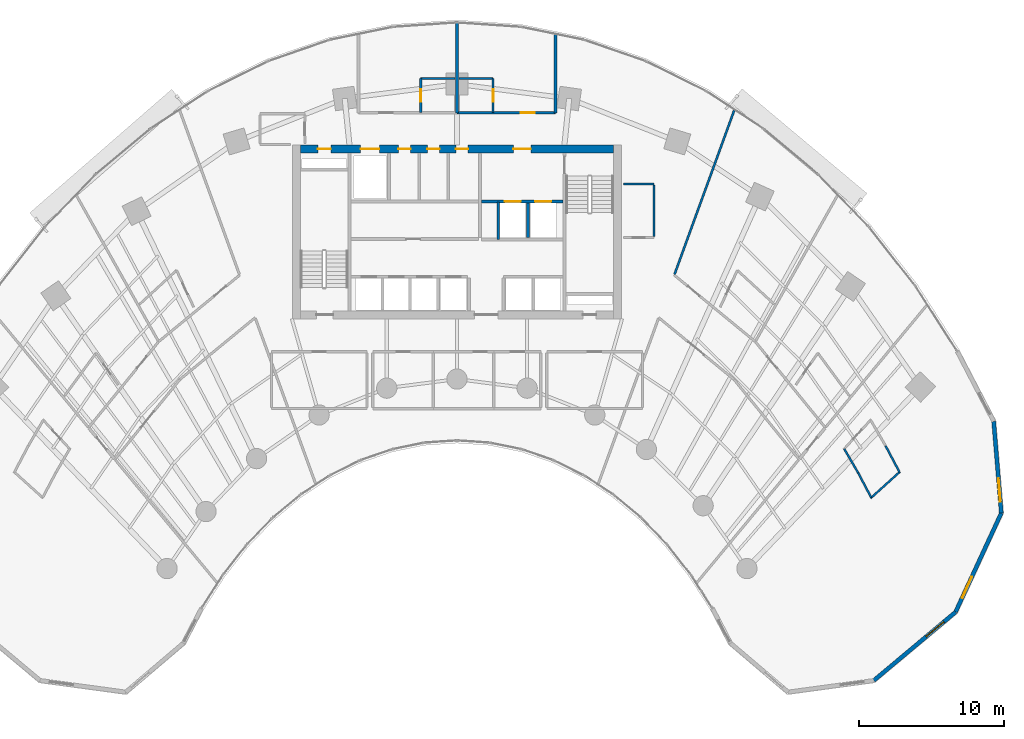
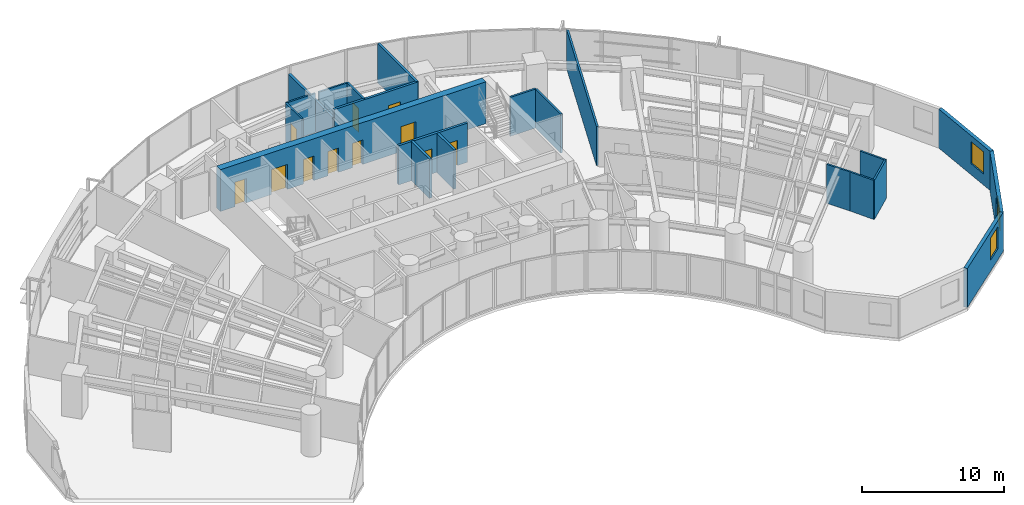
# One storey, part 14 of 17: 21 walls, 11 doors, 3 windows, 14 openings.
"""IFC4 building model written with IfcOpenShell, lengths in metres."""

from ifc_helpers import new_model, si_unit, direction, frame, frame_2d, origin, place, context, subcontext, project, spatial, rectangle, extrude, source, transform, mapped, material, layer, layer_set, type_object, type_shapes, element, fill, save


model = new_model("IFC4")

# Units and contexts
model_context = context("Model", 3, precision=1e-05, world=origin(), true_north=direction((0.0, 1.0)))
body_context = subcontext(model_context, "Body", "Model", "MODEL_VIEW")
ifc_project = project(units=[si_unit("LENGTHUNIT", "METRE"), si_unit("AREAUNIT", "SQUARE_METRE"), si_unit("VOLUMEUNIT", "CUBIC_METRE"), si_unit("PLANEANGLEUNIT", "RADIAN"), si_unit("MASSUNIT", "GRAM", prefix="KILO")], contexts=[model_context])

# Site, building, storey
site_placement = place(None, origin())
site = spatial("IfcSite", under=ifc_project, at=site_placement, CompositionType="ELEMENT")
building_placement = place(site_placement, origin())
building = spatial("IfcBuilding", under=site, at=building_placement, Name="Breltana Convention Tower", CompositionType="ELEMENT")
storey_placement = place(building_placement, frame((0.0, 0.0, 53.39990234375)))
storey = spatial("IfcBuildingStorey", under=building, at=storey_placement, Name="L11", CompositionType="ELEMENT", Elevation=53.39990234375)

# Wall, openings, doors
ifc_material_1 = material(Name="Concrete C60/75", Category="concrete")
ifc_layer_1 = layer(ifc_material_1, 0.550048828125, Name="Concrete C60/75")
ifc_layer_set_1 = layer_set([ifc_layer_1], Name="Concrete C60/75")
wall_type_1 = type_object("IfcWallType", Name="SW-CORE-550", PredefinedType="SHEAR", material=ifc_layer_set_1)
shared_shape_1 = source(origin(), body_context, "Body", "SweptSolid", [
    extrude(rectangle(XDim=21.60009765625, YDim=0.550048828125, at=frame_2d((10.800048828125, 0.0))), origin(), (0.0, 0.0, 1.0), 3.60009765625),
])
wall_1_placement = place(storey_placement, frame((37.199951171875, 71.925048828125, 0.0), z_axis=(0.0, 0.0, 1.0), x_axis=(1.0, 0.0, 0.0)))
wall_1 = element("IfcWall", 1, at=wall_1_placement, inside=storey, type_object=wall_type_1, Name="L11 North Core Shear Wall", PredefinedType="SHEAR", context=body_context, shape_type="MappedRepresentation", body=[
    mapped(shared_shape_1, transform((0.0, 0.0, 0.0), scale=1.0)),
])
opening_1_placement = place(wall_1_placement, frame((1.199951171875, 0.0, 0.0)))
opening_1 = element("IfcOpeningElement", 2, at=opening_1_placement, cuts=wall_1, Name="Opening D-18", PredefinedType="OPENING", context=body_context, shape_type="SweptSolid", body=[
    extrude(rectangle(XDim=0.89990234375, YDim=2.10009765625, at=frame_2d((0.449951171875, 1.050048828125))), frame((0.0, 0.28515625, 0.0), z_axis=(0.0, -1.0, 0.0), x_axis=(1.0, 0.0, 0.0)), (0.0, 0.0, 1.0), 0.570068359375),
])
opening_2_placement = place(wall_1_placement, frame((14.699951171875, 0.0, 0.0)))
opening_2 = element("IfcOpeningElement", 3, at=opening_2_placement, cuts=wall_1, Name="Opening D-09", PredefinedType="OPENING", context=body_context, shape_type="SweptSolid", body=[
    extrude(rectangle(XDim=1.199951171875, YDim=2.14990234375, at=frame_2d((0.60009765625, 1.074951171875))), frame((0.0, 0.28515625, 0.0), z_axis=(0.0, -1.0, 0.0), x_axis=(1.0, 0.0, 0.0)), (0.0, 0.0, 1.0), 0.570068359375),
])
opening_3_placement = place(wall_1_placement, frame((4.14990234375, 0.0, 0.0)))
opening_3 = element("IfcOpeningElement", 4, at=opening_3_placement, cuts=wall_1, Name="Opening LD-01", PredefinedType="OPENING", context=body_context, shape_type="SweptSolid", body=[
    extrude(rectangle(XDim=1.300048828125, YDim=2.14990234375, at=frame_2d((0.64990234375, 1.074951171875))), frame((0.0, 0.28515625, 0.0), z_axis=(0.0, -1.0, 0.0), x_axis=(1.0, 0.0, 0.0)), (0.0, 0.0, 1.0), 0.570068359375),
])
opening_4_placement = place(wall_1_placement, frame((6.760009765625, 0.0, 0.0)))
opening_4 = element("IfcOpeningElement", 5, at=opening_4_placement, cuts=wall_1, Name="Opening D-20", PredefinedType="OPENING", context=body_context, shape_type="SweptSolid", body=[
    extrude(rectangle(XDim=0.85009765625, YDim=2.10009765625, at=frame_2d((0.425048828125, 1.050048828125))), frame((0.0, 0.28515625, 0.0), z_axis=(0.0, -1.0, 0.0), x_axis=(1.0, 0.0, 0.0)), (0.0, 0.0, 1.0), 0.570068359375),
])
opening_5_placement = place(wall_1_placement, frame((8.760009765625, 0.0, 0.0)))
opening_5 = element("IfcOpeningElement", 6, at=opening_5_placement, cuts=wall_1, Name="Opening D-20", PredefinedType="OPENING", context=body_context, shape_type="SweptSolid", body=[
    extrude(rectangle(XDim=0.85009765625, YDim=2.10009765625, at=frame_2d((0.425048828125, 1.050048828125))), frame((0.0, 0.28515625, 0.0), z_axis=(0.0, -1.0, 0.0), x_axis=(1.0, 0.0, 0.0)), (0.0, 0.0, 1.0), 0.570068359375),
])
opening_6_placement = place(wall_1_placement, frame((10.72509765625, 0.0, 0.0)))
opening_6 = element("IfcOpeningElement", 7, at=opening_6_placement, cuts=wall_1, Name="Opening D-20", PredefinedType="OPENING", context=body_context, shape_type="SweptSolid", body=[
    extrude(rectangle(XDim=0.85009765625, YDim=2.10009765625, at=frame_2d((0.425048828125, 1.050048828125))), frame((0.0, 0.28515625, 0.0), z_axis=(0.0, -1.0, 0.0), x_axis=(1.0, 0.0, 0.0)), (0.0, 0.0, 1.0), 0.570068359375),
])
ifc_material_2 = material(Name="Steel Riser Fire Door", Category="steel")
door_type_1 = type_object("IfcDoorType", Name="DR-FD60-900", OperationType="NOTDEFINED", PredefinedType="DOOR", material=ifc_material_2)
shared_shape_2 = source(origin(), body_context, "Body", "SweptSolid", [
    extrude(rectangle(XDim=0.89990234375, YDim=2.10009765625, at=frame_2d((0.449951171875, 1.050048828125))), frame((0.0, 0.02490234375, 0.0), z_axis=(0.0, -1.0, 0.0), x_axis=(1.0, 0.0, 0.0)), (0.0, 0.0, 1.0), 0.050048828125),
])
type_shapes(door_type_1, [shared_shape_2])
door_1_placement = place(opening_1_placement, origin())
door_1 = element("IfcDoor", 8, at=door_1_placement, inside=storey, type_object=door_type_1, Name="L11 Core Riser Access Door D-L11-RS1", OperationType="SINGLE_SWING_LEFT", OverallHeight=2.10009765625, OverallWidth=0.89990234375, PredefinedType="DOOR", context=body_context, shape_type="MappedRepresentation", body=[
    mapped(shared_shape_2, transform((0.0, 0.0, 0.0), scale=1.0)),
])
fill(opening_1, door_1)
ifc_material_3 = material(Name="Steel Fire Lobby Door", Category="steel")
door_type_2 = type_object("IfcDoorType", Name="DR-FD120-1200", OperationType="NOTDEFINED", PredefinedType="DOOR", material=ifc_material_3)
shared_shape_3 = source(origin(), body_context, "Body", "SweptSolid", [
    extrude(rectangle(XDim=1.199951171875, YDim=2.14990234375, at=frame_2d((0.60009765625, 1.074951171875))), frame((0.0, 0.02490234375, 0.0), z_axis=(0.0, -1.0, 0.0), x_axis=(1.0, 0.0, 0.0)), (0.0, 0.0, 1.0), 0.050048828125),
])
type_shapes(door_type_2, [shared_shape_3])
door_2_placement = place(opening_2_placement, origin())
door_2 = element("IfcDoor", 9, at=door_2_placement, inside=storey, type_object=door_type_2, Name="L11 interior door D-L11-FFL-N", OperationType="SINGLE_SWING_RIGHT", OverallHeight=2.14990234375, OverallWidth=1.199951171875, PredefinedType="DOOR", context=body_context, shape_type="MappedRepresentation", body=[
    mapped(shared_shape_3, transform((0.0, 0.0, 0.0), scale=1.0)),
])
fill(opening_2, door_2)
ifc_material_4 = material(Name="Stainless Steel Brushed", Category="steel")
door_type_3 = type_object("IfcDoorType", Name="DR-LD-SRV-1300", OperationType="DOUBLE_DOOR_SLIDING", PredefinedType="DOOR", material=ifc_material_4)
shared_shape_4 = source(origin(), body_context, "Body", "SweptSolid", [
    extrude(rectangle(XDim=1.300048828125, YDim=2.14990234375, at=frame_2d((0.64990234375, 1.074951171875))), frame((0.0, 0.02490234375, 0.0), z_axis=(0.0, -1.0, 0.0), x_axis=(1.0, 0.0, 0.0)), (0.0, 0.0, 1.0), 0.050048828125),
])
type_shapes(door_type_3, [shared_shape_4])
door_3_placement = place(opening_3_placement, origin())
door_3 = element("IfcDoor", 10, at=door_3_placement, inside=storey, type_object=door_type_3, Name="L11 Lift Landing Door D-L11-LD-SV1", OperationType="DOUBLE_DOOR_SLIDING", OverallHeight=2.14990234375, OverallWidth=1.300048828125, PredefinedType="DOOR", context=body_context, shape_type="MappedRepresentation", body=[
    mapped(shared_shape_4, transform((0.0, 0.0, 0.0), scale=1.0)),
])
fill(opening_3, door_3)
ifc_material_5 = material(Name="Steel Closet Fire Door", Category="steel")
door_type_4 = type_object("IfcDoorType", Name="DR-FD60-850", OperationType="NOTDEFINED", PredefinedType="DOOR", material=ifc_material_5)
shared_shape_5 = source(origin(), body_context, "Body", "SweptSolid", [
    extrude(rectangle(XDim=0.85009765625, YDim=2.10009765625, at=frame_2d((0.425048828125, 1.050048828125))), frame((0.0, 0.02490234375, 0.0), z_axis=(0.0, -1.0, 0.0), x_axis=(1.0, 0.0, 0.0)), (0.0, 0.0, 1.0), 0.050048828125),
])
type_shapes(door_type_4, [shared_shape_5])
door_4_placement = place(opening_4_placement, origin())
door_4 = element("IfcDoor", 11, at=door_4_placement, inside=storey, type_object=door_type_4, Name="L11 interior door D-L11-CRA1", OperationType="SINGLE_SWING_LEFT", OverallHeight=2.10009765625, OverallWidth=0.85009765625, PredefinedType="DOOR", context=body_context, shape_type="MappedRepresentation", body=[
    mapped(shared_shape_5, transform((0.0, 0.0, 0.0), scale=1.0)),
])
fill(opening_4, door_4)
door_5_placement = place(opening_5_placement, origin())
door_5 = element("IfcDoor", 12, at=door_5_placement, inside=storey, type_object=door_type_4, Name="L11 interior door D-L11-CRA2", OperationType="SINGLE_SWING_RIGHT", OverallHeight=2.10009765625, OverallWidth=0.85009765625, PredefinedType="DOOR", context=body_context, shape_type="MappedRepresentation", body=[
    mapped(shared_shape_5, transform((0.0, 0.0, 0.0), scale=1.0)),
])
fill(opening_5, door_5)
door_6_placement = place(opening_6_placement, origin())
door_6 = element("IfcDoor", 13, at=door_6_placement, inside=storey, type_object=door_type_4, Name="L11 interior door D-L11-CRA3", OperationType="SINGLE_SWING_LEFT", OverallHeight=2.10009765625, OverallWidth=0.85009765625, PredefinedType="DOOR", context=body_context, shape_type="MappedRepresentation", body=[
    mapped(shared_shape_5, transform((0.0, 0.0, 0.0), scale=1.0)),
])
fill(opening_6, door_6)

# Wall, opening, window
ifc_material_6 = material(Name="Limestone Buff Insulated Wall", Category="masonry")
ifc_layer_2 = layer(ifc_material_6, 0.280029296875, Name="Limestone Buff Insulated Wall")
ifc_layer_set_2 = layer_set([ifc_layer_2], Name="Limestone Buff Insulated Wall")
wall_type_2 = type_object("IfcWallType", Name="WL-EXT-NOSE-280", PredefinedType="SOLIDWALL", material=ifc_layer_set_2)
shared_shape_6 = source(origin(), body_context, "Body", "SweptSolid", [
    extrude(rectangle(XDim=6.3525390625, YDim=0.280029296875, at=frame_2d((3.17626953125, 0.0))), origin(), (0.0, 0.0, 1.0), 3.360107421875),
])
wall_2_placement = place(storey_placement, frame((85.052978515625, 53.1220703125, 0.0), z_axis=(0.0, 0.0, 1.0), x_axis=(0.083319001377, -0.996522926986, 0.0)))
wall_2 = element("IfcWall", 14, at=wall_2_placement, inside=storey, type_object=wall_type_2, Name="L11 curved limestone nose wall E1", PredefinedType="SOLIDWALL", context=body_context, shape_type="MappedRepresentation", body=[
    mapped(shared_shape_6, transform((0.0, 0.0, 0.0), scale=1.0)),
])
opening_7_placement = place(wall_2_placement, frame((3.96435546875, 0.0, 0.949951171875)))
opening_7 = element("IfcOpeningElement", 15, at=opening_7_placement, cuts=wall_2, Name="Opening W-04", PredefinedType="OPENING", context=body_context, shape_type="SweptSolid", body=[
    extrude(rectangle(XDim=1.60009765625, YDim=1.89990234375, at=frame_2d((0.800048828125, 0.949951171875))), frame((0.0, 0.14990234375, 0.0), z_axis=(0.0, -1.0, 0.0), x_axis=(1.0, 0.0, 0.0)), (0.0, 0.0, 1.0), 0.300048828125),
])
ifc_material_7 = material(Name="Glass Low-E Insulated Window", Category="glass")
window_type = type_object("IfcWindowType", Name="WN-NOSE-1600X1900", PartitioningType="SINGLE_PANEL", PredefinedType="WINDOW", material=ifc_material_7)
shared_shape_7 = source(origin(), body_context, "Body", "SweptSolid", [
    extrude(rectangle(XDim=1.60009765625, YDim=1.89990234375, at=frame_2d((0.800048828125, 0.949951171875))), frame((0.0, 0.030029296875, 0.0), z_axis=(0.0, -1.0, 0.0), x_axis=(1.0, 0.0, 0.0)), (0.0, 0.0, 1.0), 0.06005859375),
])
type_shapes(window_type, [shared_shape_7])
window_1_placement = place(opening_7_placement, origin())
window_1 = element("IfcWindow", 16, at=window_1_placement, inside=storey, type_object=window_type, Name="L11 nose window E1", OverallHeight=1.89990234375, OverallWidth=1.60009765625, PartitioningType="SINGLE_PANEL", PredefinedType="WINDOW", context=body_context, shape_type="MappedRepresentation", body=[
    mapped(shared_shape_7, transform((0.0, 0.0, 0.0), scale=1.0)),
])
fill(opening_7, window_1)

shared_shape_8 = source(origin(), body_context, "Body", "SweptSolid", [
    extrude(rectangle(XDim=7.536376953125, YDim=0.280029296875, at=frame_2d((3.76806640625, 0.0))), origin(), (0.0, 0.0, 1.0), 3.360107421875),
])
wall_3_placement = place(storey_placement, frame((85.582275390625, 46.79150390625, 0.0), z_axis=(0.0, 0.0, 1.0), x_axis=(-0.41964973873, -0.907686122393, 0.0)))
wall_3 = element("IfcWall", 17, at=wall_3_placement, inside=storey, type_object=wall_type_2, Name="L11 curved limestone nose wall E2", PredefinedType="SOLIDWALL", context=body_context, shape_type="MappedRepresentation", body=[
    mapped(shared_shape_8, transform((0.0, 0.0, 0.0), scale=1.0)),
])
opening_8_placement = place(wall_3_placement, frame((4.852294921875, 0.0, 0.949951171875)))
opening_8 = element("IfcOpeningElement", 18, at=opening_8_placement, cuts=wall_3, Name="Opening W-04", PredefinedType="OPENING", context=body_context, shape_type="SweptSolid", body=[
    extrude(rectangle(XDim=1.60009765625, YDim=1.89990234375, at=frame_2d((0.800048828125, 0.949951171875))), frame((0.0, 0.14990234375, 0.0), z_axis=(0.0, -1.0, 0.0), x_axis=(1.0, 0.0, 0.0)), (0.0, 0.0, 1.0), 0.300048828125),
])
window_2_placement = place(opening_8_placement, origin())
window_2 = element("IfcWindow", 19, at=window_2_placement, inside=storey, type_object=window_type, Name="L11 nose window E2", OverallHeight=1.89990234375, OverallWidth=1.60009765625, PartitioningType="SINGLE_PANEL", PredefinedType="WINDOW", context=body_context, shape_type="MappedRepresentation", body=[
    mapped(shared_shape_7, transform((0.0, 0.0, 0.0), scale=1.0)),
])
fill(opening_8, window_2)

shared_shape_9 = source(origin(), body_context, "Body", "SweptSolid", [
    extrude(rectangle(XDim=7.35888671875, YDim=0.280029296875, at=frame_2d((3.679443359375, 0.0))), origin(), (0.0, 0.0, 1.0), 3.360107421875),
])
wall_4_placement = place(storey_placement, frame((82.419677734375, 39.950927734375, 0.0), z_axis=(0.0, 0.0, 1.0), x_axis=(-0.766737165543, -0.641961150675, 0.0)))
wall_4 = element("IfcWall", 20, at=wall_4_placement, inside=storey, type_object=wall_type_2, Name="L11 curved limestone nose wall E3", PredefinedType="SOLIDWALL", context=body_context, shape_type="MappedRepresentation", body=[
    mapped(shared_shape_9, transform((0.0, 0.0, 0.0), scale=1.0)),
])
opening_9_placement = place(wall_4_placement, frame((1.039794921875, 0.0, 0.949951171875)))
opening_9 = element("IfcOpeningElement", 21, at=opening_9_placement, cuts=wall_4, Name="Opening W-04", PredefinedType="OPENING", context=body_context, shape_type="SweptSolid", body=[
    extrude(rectangle(XDim=1.60009765625, YDim=1.89990234375, at=frame_2d((0.800048828125, 0.949951171875))), frame((0.0, 0.14990234375, 0.0), z_axis=(0.0, -1.0, 0.0), x_axis=(1.0, 0.0, 0.0)), (0.0, 0.0, 1.0), 0.300048828125),
])
window_3_placement = place(opening_9_placement, origin())
window_3 = element("IfcWindow", 22, at=window_3_placement, inside=storey, type_object=window_type, Name="L11 nose window E3", OverallHeight=1.89990234375, OverallWidth=1.60009765625, PartitioningType="SINGLE_PANEL", PredefinedType="WINDOW", context=body_context, shape_type="MappedRepresentation", body=[
    mapped(shared_shape_7, transform((0.0, 0.0, 0.0), scale=1.0)),
])
fill(opening_9, window_3)

# Wall, openings, doors
ifc_material_8 = material(Name="Autoclaved Aerated Concrete Block", Category="concrete")
ifc_layer_3 = layer(ifc_material_8, 0.199951171875, Name="Autoclaved Aerated Concrete Block")
ifc_layer_set_3 = layer_set([ifc_layer_3], Name="Autoclaved Aerated Concrete Block")
wall_type_3 = type_object("IfcWallType", Name="WL-SHAFT-200", PredefinedType="SOLIDWALL", material=ifc_layer_set_3)
shared_shape_10 = source(origin(), body_context, "Body", "SweptSolid", [
    extrude(rectangle(XDim=5.6201171875, YDim=0.199951171875, at=frame_2d((2.81005859375, 0.0))), origin(), (0.0, 0.0, 1.0), 3.360107421875),
])
wall_5_placement = place(storey_placement, frame((49.699951171875, 68.300048828125, 0.0), z_axis=(0.0, 0.0, 1.0), x_axis=(1.0, 0.0, 0.0)))
wall_5 = element("IfcWall", 23, at=wall_5_placement, inside=storey, type_object=wall_type_3, Name="L11 interior partition W-L11-FFL-S", PredefinedType="SOLIDWALL", context=body_context, shape_type="MappedRepresentation", body=[
    mapped(shared_shape_10, transform((0.0, 0.0, 0.0), scale=1.0)),
])
opening_10_placement = place(wall_5_placement, frame((1.60009765625, 0.0, 0.0)))
opening_10 = element("IfcOpeningElement", 24, at=opening_10_placement, cuts=wall_5, Name="Opening LD-03", PredefinedType="OPENING", context=body_context, shape_type="SweptSolid", body=[
    extrude(rectangle(XDim=1.10009765625, YDim=2.14990234375, at=frame_2d((0.550048828125, 1.074951171875))), frame((0.0, 0.10986328125, 0.0), z_axis=(0.0, -1.0, 0.0), x_axis=(1.0, 0.0, 0.0)), (0.0, 0.0, 1.0), 0.219970703125),
])
opening_11_placement = place(wall_5_placement, frame((3.699951171875, 0.0, 0.0)))
opening_11 = element("IfcOpeningElement", 25, at=opening_11_placement, cuts=wall_5, Name="Opening LD-03", PredefinedType="OPENING", context=body_context, shape_type="SweptSolid", body=[
    extrude(rectangle(XDim=1.10009765625, YDim=2.14990234375, at=frame_2d((0.550048828125, 1.074951171875))), frame((0.0, 0.10986328125, 0.0), z_axis=(0.0, -1.0, 0.0), x_axis=(1.0, 0.0, 0.0)), (0.0, 0.0, 1.0), 0.219970703125),
])
door_type_5 = type_object("IfcDoorType", Name="DR-LD-FF-1100", OperationType="DOUBLE_DOOR_SLIDING", PredefinedType="DOOR", material=ifc_material_4)
shared_shape_11 = source(origin(), body_context, "Body", "SweptSolid", [
    extrude(rectangle(XDim=1.10009765625, YDim=2.14990234375, at=frame_2d((0.550048828125, 1.074951171875))), frame((0.0, 0.02490234375, 0.0), z_axis=(0.0, -1.0, 0.0), x_axis=(1.0, 0.0, 0.0)), (0.0, 0.0, 1.0), 0.050048828125),
])
type_shapes(door_type_5, [shared_shape_11])
door_7_placement = place(opening_10_placement, origin())
door_7 = element("IfcDoor", 26, at=door_7_placement, inside=storey, type_object=door_type_5, Name="L11 Lift Landing Door D-L11-LD-FL1", OperationType="DOUBLE_DOOR_SLIDING", OverallHeight=2.14990234375, OverallWidth=1.10009765625, PredefinedType="DOOR", context=body_context, shape_type="MappedRepresentation", body=[
    mapped(shared_shape_11, transform((0.0, 0.0, 0.0), scale=1.0)),
])
fill(opening_10, door_7)
door_8_placement = place(opening_11_placement, origin())
door_8 = element("IfcDoor", 27, at=door_8_placement, inside=storey, type_object=door_type_5, Name="L11 Lift Landing Door D-L11-LD-FL2", OperationType="DOUBLE_DOOR_SLIDING", OverallHeight=2.14990234375, OverallWidth=1.10009765625, PredefinedType="DOOR", context=body_context, shape_type="MappedRepresentation", body=[
    mapped(shared_shape_11, transform((0.0, 0.0, 0.0), scale=1.0)),
])
fill(opening_11, door_8)

# Walls
shared_shape_12 = source(origin(), body_context, "Body", "SweptSolid", [
    extrude(rectangle(XDim=2.580078125, YDim=0.199951171875, at=frame_2d((1.2900390625, 0.0))), origin(), (0.0, 0.0, 1.0), 3.360107421875),
])
wall_6_placement = place(storey_placement, frame((50.85009765625, 65.679931640625, 0.0), z_axis=(0.0, 0.0, 1.0), x_axis=(0.0, 1.0, 0.0)))
element("IfcWall", 28, at=wall_6_placement, inside=storey, type_object=wall_type_3, Name="L11 interior partition W-L11-FL-W", PredefinedType="SOLIDWALL", context=body_context, shape_type="MappedRepresentation", body=[
    mapped(shared_shape_12, transform((0.0, 0.0, 0.0), scale=1.0)),
])
shared_shape_13 = source(origin(), body_context, "Body", "SweptSolid", [
    extrude(rectangle(XDim=2.39990234375, YDim=0.199951171875, at=frame_2d((1.199951171875, 0.0))), origin(), (0.0, 0.0, 1.0), 3.360107421875),
])
wall_7_placement = place(storey_placement, frame((52.89990234375, 65.800048828125, 0.0), z_axis=(0.0, 0.0, 1.0), x_axis=(0.0, 1.0, 0.0)))
element("IfcWall", 29, at=wall_7_placement, inside=storey, type_object=wall_type_3, Name="L11 interior partition W-L11-FL-DIV", PredefinedType="SOLIDWALL", context=body_context, shape_type="MappedRepresentation", body=[
    mapped(shared_shape_13, transform((0.0, 0.0, 0.0), scale=1.0)),
])

# Wall, opening, door
ifc_material_9 = material(Name="Gypsum Acoustic Hotel Wall")
ifc_layer_4 = layer(ifc_material_9, 0.195068359375, Name="Gypsum Acoustic Hotel Wall")
ifc_layer_set_4 = layer_set([ifc_layer_4], Name="Gypsum Acoustic Hotel Wall")
wall_type_4 = type_object("IfcWallType", Name="WL-HOTEL-200", PredefinedType="PARTITIONING", material=ifc_layer_set_4)
shared_shape_14 = source(origin(), body_context, "Body", "SweptSolid", [
    extrude(rectangle(XDim=6.800048828125, YDim=0.195068359375, at=frame_2d((3.39990234375, 0.0))), origin(), (0.0, 0.0, 1.0), 3.360107421875),
])
type_shapes(wall_type_4, [shared_shape_14])
wall_8_placement = place(storey_placement, frame((48.0, 74.419921875, 0.0), z_axis=(0.0, 0.0, 1.0), x_axis=(1.0, 0.0, 0.0)))
wall_8 = element("IfcWall", 30, at=wall_8_placement, inside=storey, type_object=wall_type_4, Name="L11 interior partition W-L11-GRN2-S", PredefinedType="PARTITIONING", context=body_context, shape_type="MappedRepresentation", body=[
    mapped(shared_shape_14, transform((0.0, 0.0, 0.0), scale=1.0)),
])
opening_12_placement = place(wall_8_placement, frame((4.4208984375, 0.0, 0.0)))
opening_12 = element("IfcOpeningElement", 31, at=opening_12_placement, cuts=wall_8, Name="Opening D-14", PredefinedType="OPENING", context=body_context, shape_type="SweptSolid", body=[
    extrude(rectangle(XDim=0.949951171875, YDim=2.14990234375, at=frame_2d((0.47509765625, 1.074951171875))), frame((0.0, 0.107421875, 0.0), z_axis=(0.0, -1.0, 0.0), x_axis=(1.0, 0.0, 0.0)), (0.0, 0.0, 1.0), 0.215087890625),
])
ifc_material_10 = material(Name="Timber Solid-Core Fire Door", Category="wood")
door_type_6 = type_object("IfcDoorType", Name="DR-FD60-950", OperationType="NOTDEFINED", PredefinedType="DOOR", material=ifc_material_10)
shared_shape_15 = source(origin(), body_context, "Body", "SweptSolid", [
    extrude(rectangle(XDim=0.949951171875, YDim=2.14990234375, at=frame_2d((0.47509765625, 1.074951171875))), frame((0.0, 0.02490234375, 0.0), z_axis=(0.0, -1.0, 0.0), x_axis=(1.0, 0.0, 0.0)), (0.0, 0.0, 1.0), 0.050048828125),
])
type_shapes(door_type_6, [shared_shape_15])
door_9_placement = place(opening_12_placement, origin())
door_9 = element("IfcDoor", 32, at=door_9_placement, inside=storey, type_object=door_type_6, Name="L11 interior door D-L11-GRN2", OperationType="SINGLE_SWING_RIGHT", OverallHeight=2.14990234375, OverallWidth=0.949951171875, PredefinedType="DOOR", context=body_context, shape_type="MappedRepresentation", body=[
    mapped(shared_shape_15, transform((0.0, 0.0, 0.0), scale=1.0)),
])
fill(opening_12, door_9)

# Walls
shared_shape_16 = source(origin(), body_context, "Body", "SweptSolid", [
    extrude(rectangle(XDim=6.215576171875, YDim=0.195068359375, at=frame_2d((3.10791015625, 0.0))), origin(), (0.0, 0.0, 1.0), 2.64404296875),
])
wall_9_placement = place(storey_placement, frame((48.0, 74.419921875, 0.0), z_axis=(0.0, 0.0, 1.0), x_axis=(0.0, 1.0, 0.0)))
element("IfcWall", 33, at=wall_9_placement, inside=storey, type_object=wall_type_4, Name="L11 interior partition W-L11-GRN-MID", PredefinedType="PARTITIONING", context=body_context, shape_type="MappedRepresentation", body=[
    mapped(shared_shape_16, transform((0.0, 0.0, 0.0), scale=1.0)),
])
shared_shape_17 = source(origin(), body_context, "Body", "SweptSolid", [
    extrude(rectangle(XDim=5.42626953125, YDim=0.195068359375, at=frame_2d((2.713134765625, 0.0))), origin(), (0.0, 0.0, 1.0), 3.360107421875),
])
wall_10_placement = place(storey_placement, frame((54.800048828125, 74.419921875, 0.0), z_axis=(0.0, 0.0, 1.0), x_axis=(0.0, 1.0, 0.0)))
element("IfcWall", 34, at=wall_10_placement, inside=storey, type_object=wall_type_4, Name="L11 interior partition W-L11-GRN2-SD", PredefinedType="PARTITIONING", context=body_context, shape_type="MappedRepresentation", body=[
    mapped(shared_shape_17, transform((0.0, 0.0, 0.0), scale=1.0)),
])
ifc_material_11 = material(Name="Moisture-Resistant En-Suite Partition")
ifc_layer_5 = layer(ifc_material_11, 0.139892578125, Name="Moisture-Resistant En-Suite Partition")
ifc_layer_set_5 = layer_set([ifc_layer_5], Name="Moisture-Resistant En-Suite Partition")
wall_type_5 = type_object("IfcWallType", Name="WL-WET-150", PredefinedType="PARTITIONING", material=ifc_layer_set_5)
shared_shape_18 = source(origin(), body_context, "Body", "SweptSolid", [
    extrude(rectangle(XDim=2.35009765625, YDim=0.139892578125, at=frame_2d((1.175048828125, 0.0))), origin(), (0.0, 0.0, 1.0), 3.360107421875),
])
type_shapes(wall_type_5, [shared_shape_18])
for number, where, z_axis, x_axis, name in (
    (35, (45.5, 76.780029296875, 0.0), (0.0, 0.0, 1.0), (1.0, 0.0, 0.0), "L11 interior partition W-L11-ENSN1-N"),
    (36, (48.14990234375, 76.780029296875, 0.0), (0.0, 0.0, 1.0), (1.0, 0.0, 0.0), "L11 interior partition W-L11-ENSN2-N"),
):
    element("IfcWall", number, at=place(storey_placement, frame(where, z_axis=z_axis, x_axis=x_axis)), inside=storey, type_object=wall_type_5, Name=name, PredefinedType="PARTITIONING", context=body_context, shape_type="MappedRepresentation", body=[
        mapped(shared_shape_18, transform((0.0, 0.0, 0.0), scale=1.0)),
    ])

# Wall, opening, door
shared_shape_19 = source(origin(), body_context, "Body", "SweptSolid", [
    extrude(rectangle(XDim=2.330078125, YDim=0.139892578125, at=frame_2d((1.1650390625, 0.0))), origin(), (0.0, 0.0, 1.0), 3.360107421875),
])
wall_11_placement = place(storey_placement, frame((45.5, 74.449951171875, 0.0), z_axis=(0.0, 0.0, 1.0), x_axis=(0.0, 1.0, 0.0)))
wall_11 = element("IfcWall", 37, at=wall_11_placement, inside=storey, type_object=wall_type_5, Name="L11 interior partition W-L11-ENSN1-SD", PredefinedType="PARTITIONING", context=body_context, shape_type="MappedRepresentation", body=[
    mapped(shared_shape_19, transform((0.0, 0.0, 0.0), scale=1.0)),
])
opening_13_placement = place(wall_11_placement, frame((0.739990234375, 0.0, 0.0)))
opening_13 = element("IfcOpeningElement", 38, at=opening_13_placement, cuts=wall_11, Name="Opening D-21", PredefinedType="OPENING", context=body_context, shape_type="SweptSolid", body=[
    extrude(rectangle(XDim=0.85009765625, YDim=2.050048828125, at=frame_2d((0.425048828125, 1.02490234375))), frame((0.0, 0.080078125, 0.0), z_axis=(0.0, -1.0, 0.0), x_axis=(1.0, 0.0, 0.0)), (0.0, 0.0, 1.0), 0.159912109375),
])
ifc_material_12 = material(Name="Timber Moisture-Resistant En-Suite Door", Category="wood")
door_type_7 = type_object("IfcDoorType", Name="DR-WET-850", OperationType="NOTDEFINED", PredefinedType="DOOR", material=ifc_material_12)
shared_shape_20 = source(origin(), body_context, "Body", "SweptSolid", [
    extrude(rectangle(XDim=0.85009765625, YDim=2.050048828125, at=frame_2d((0.425048828125, 1.02490234375))), frame((0.0, 0.02490234375, 0.0), z_axis=(0.0, -1.0, 0.0), x_axis=(1.0, 0.0, 0.0)), (0.0, 0.0, 1.0), 0.050048828125),
])
type_shapes(door_type_7, [shared_shape_20])
door_10_placement = place(opening_13_placement, origin())
door_10 = element("IfcDoor", 39, at=door_10_placement, inside=storey, type_object=door_type_7, Name="L11 interior door D-L11-ENSN1", OperationType="SINGLE_SWING_LEFT", OverallHeight=2.050048828125, OverallWidth=0.85009765625, PredefinedType="DOOR", context=body_context, shape_type="MappedRepresentation", body=[
    mapped(shared_shape_20, transform((0.0, 0.0, 0.0), scale=1.0)),
])
fill(opening_13, door_10)

wall_12_placement = place(storey_placement, frame((50.5, 74.449951171875, 0.0), z_axis=(0.0, 0.0, 1.0), x_axis=(0.0, 1.0, 0.0)))
wall_12 = element("IfcWall", 40, at=wall_12_placement, inside=storey, type_object=wall_type_5, Name="L11 interior partition W-L11-ENSN2-SD", PredefinedType="PARTITIONING", context=body_context, shape_type="MappedRepresentation", body=[
    mapped(shared_shape_19, transform((0.0, 0.0, 0.0), scale=1.0)),
])
opening_14_placement = place(wall_12_placement, frame((0.739990234375, 0.0, 0.0)))
opening_14 = element("IfcOpeningElement", 41, at=opening_14_placement, cuts=wall_12, Name="Opening D-21", PredefinedType="OPENING", context=body_context, shape_type="SweptSolid", body=[
    extrude(rectangle(XDim=0.85009765625, YDim=2.050048828125, at=frame_2d((0.425048828125, 1.02490234375))), frame((0.0, 0.080078125, 0.0), z_axis=(0.0, -1.0, 0.0), x_axis=(1.0, 0.0, 0.0)), (0.0, 0.0, 1.0), 0.159912109375),
])
door_11_placement = place(opening_14_placement, origin())
door_11 = element("IfcDoor", 42, at=door_11_placement, inside=storey, type_object=door_type_7, Name="L11 interior door D-L11-ENSN2", OperationType="SINGLE_SWING_LEFT", OverallHeight=2.050048828125, OverallWidth=0.85009765625, PredefinedType="DOOR", context=body_context, shape_type="MappedRepresentation", body=[
    mapped(shared_shape_20, transform((0.0, 0.0, 0.0), scale=1.0)),
])
fill(opening_14, door_11)

# Walls
shared_shape_21 = source(origin(), body_context, "Body", "SweptSolid", [
    extrude(rectangle(XDim=2.738037109375, YDim=0.139892578125, at=frame_2d((1.369140625, 0.0))), origin(), (0.0, 0.0, 1.0), 3.360107421875),
])
wall_13_placement = place(storey_placement, frame((76.560302734375, 47.81396484375, 0.0), z_axis=(0.0, 0.0, 1.0), x_axis=(0.741873676582, 0.670539669218, 0.0)))
element("IfcWall", 43, at=wall_13_placement, inside=storey, type_object=wall_type_5, Name="L11 interior partition W-L11-CSENS-E-F", PredefinedType="PARTITIONING", context=body_context, shape_type="MappedRepresentation", body=[
    mapped(shared_shape_21, transform((0.0, 0.0, 0.0), scale=1.0)),
])
shared_shape_22 = source(origin(), body_context, "Body", "SweptSolid", [
    extrude(rectangle(XDim=1.936279296875, YDim=0.139892578125, at=frame_2d((0.96826171875, 0.0))), origin(), (0.0, 0.0, 1.0), 3.360107421875),
])
wall_14_placement = place(storey_placement, frame((75.697265625, 49.5634765625, 0.0), z_axis=(0.0, 0.0, 1.0), x_axis=(0.467174971862, -0.884164886017, 0.0)))
element("IfcWall", 44, at=wall_14_placement, inside=storey, type_object=wall_type_5, Name="L11 interior partition W-L11-CSENS-E-B1B", PredefinedType="PARTITIONING", context=body_context, shape_type="MappedRepresentation", body=[
    mapped(shared_shape_22, transform((0.0, 0.0, 0.0), scale=1.0)),
])
shared_shape_23 = source(origin(), body_context, "Body", "SweptSolid", [
    extrude(rectangle(XDim=2.068115234375, YDim=0.139892578125, at=frame_2d((1.0341796875, 0.0))), origin(), (0.0, 0.0, 1.0), 3.360107421875),
])
wall_15_placement = place(storey_placement, frame((77.583740234375, 51.44091796875, 0.0), z_axis=(0.0, 0.0, 1.0), x_axis=(0.467215057643, -0.884143704333, 0.0)))
element("IfcWall", 45, at=wall_15_placement, inside=storey, type_object=wall_type_5, Name="L11 interior partition W-L11-CSENS-E-B2B", PredefinedType="PARTITIONING", context=body_context, shape_type="MappedRepresentation", body=[
    mapped(shared_shape_23, transform((0.0, 0.0, 0.0), scale=1.0)),
])
shared_shape_24 = source(origin(), body_context, "Body", "SweptSolid", [
    extrude(rectangle(XDim=1.914306640625, YDim=0.139892578125, at=frame_2d((0.95703125, 0.0))), origin(), (0.0, 0.0, 1.0), 3.360107421875),
])
wall_16_placement = place(storey_placement, frame((74.735595703125, 51.21875, 0.0), z_axis=(0.0, 0.0, 1.0), x_axis=(0.502347790612, -0.864665656347, 0.0)))
element("IfcWall", 46, at=wall_16_placement, inside=storey, type_object=wall_type_5, Name="L11 interior partition W-L11-CSENS-E-B1A", PredefinedType="PARTITIONING", context=body_context, shape_type="MappedRepresentation", body=[
    mapped(shared_shape_24, transform((0.0, 0.0, 0.0), scale=1.0)),
])
ifc_material_13 = material(Name="Gypsum Acoustic Drywall Partition")
ifc_layer_6 = layer(ifc_material_13, 0.14990234375, Name="Gypsum Acoustic Drywall Partition")
ifc_layer_set_6 = layer_set([ifc_layer_6], Name="Gypsum Acoustic Drywall Partition")
wall_type_6 = type_object("IfcWallType", Name="WL-PART-150", PredefinedType="PARTITIONING", material=ifc_layer_set_6)
shared_shape_25 = source(origin(), body_context, "Body", "SweptSolid", [
    extrude(rectangle(XDim=2.10009765625, YDim=0.14990234375, at=frame_2d((1.050048828125, 0.0))), origin(), (0.0, 0.0, 1.0), 3.360107421875),
])
wall_17_placement = place(storey_placement, frame((59.5, 69.5, 0.0), z_axis=(0.0, 0.0, 1.0), x_axis=(1.0, 0.0, 0.0)))
element("IfcWall", 47, at=wall_17_placement, inside=storey, type_object=wall_type_6, Name="L11 interior partition W-L11-CRSE-N", PredefinedType="PARTITIONING", context=body_context, shape_type="MappedRepresentation", body=[
    mapped(shared_shape_25, transform((0.0, 0.0, 0.0), scale=1.0)),
])
shared_shape_26 = source(origin(), body_context, "Body", "SweptSolid", [
    extrude(rectangle(XDim=12.088134765625, YDim=0.14990234375, at=frame_2d((6.0439453125, 0.0))), origin(), (0.0, 0.0, 1.0), 3.360107421875),
])
wall_18_placement = place(storey_placement, frame((63.0185546875, 63.26220703125, 0.0), z_axis=(0.0, 0.0, 1.0), x_axis=(0.34203007529, 0.939689005787, 0.0)))
element("IfcWall", 48, at=wall_18_placement, inside=storey, type_object=wall_type_6, Name="L11 interior partition W-L11-HS03-RA", PredefinedType="PARTITIONING", context=body_context, shape_type="MappedRepresentation", body=[
    mapped(shared_shape_26, transform((0.0, 0.0, 0.0), scale=1.0)),
])
shared_shape_27 = source(origin(), body_context, "Body", "SweptSolid", [
    extrude(rectangle(XDim=3.565185546875, YDim=0.14990234375, at=frame_2d((1.78271484375, 0.0))), origin(), (0.0, 0.0, 1.0), 3.360107421875),
])
wall_19_placement = place(storey_placement, frame((61.60009765625, 65.867431640625, 0.0), z_axis=(0.0, 0.0, 1.0), x_axis=(0.0, 1.0, 0.0)))
element("IfcWall", 49, at=wall_19_placement, inside=storey, type_object=wall_type_6, Name="L11 interior partition W-L11-CRSE-E", PredefinedType="PARTITIONING", context=body_context, shape_type="MappedRepresentation", body=[
    mapped(shared_shape_27, transform((0.0, 0.0, 0.0), scale=1.0)),
])

save(model, "model.ifc")
